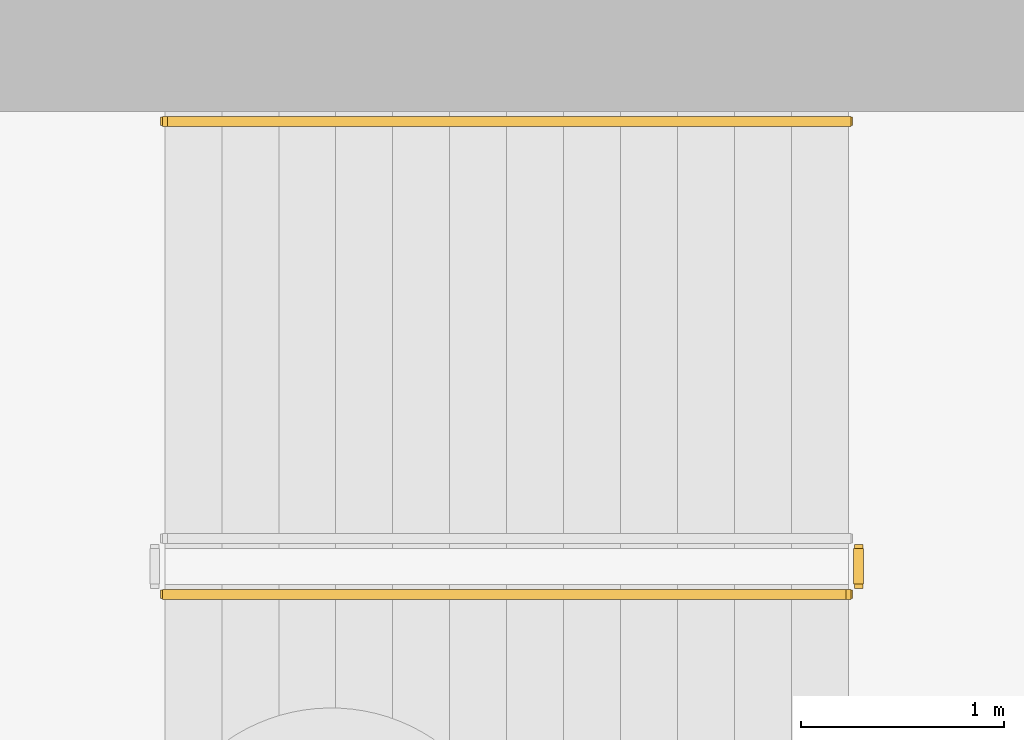
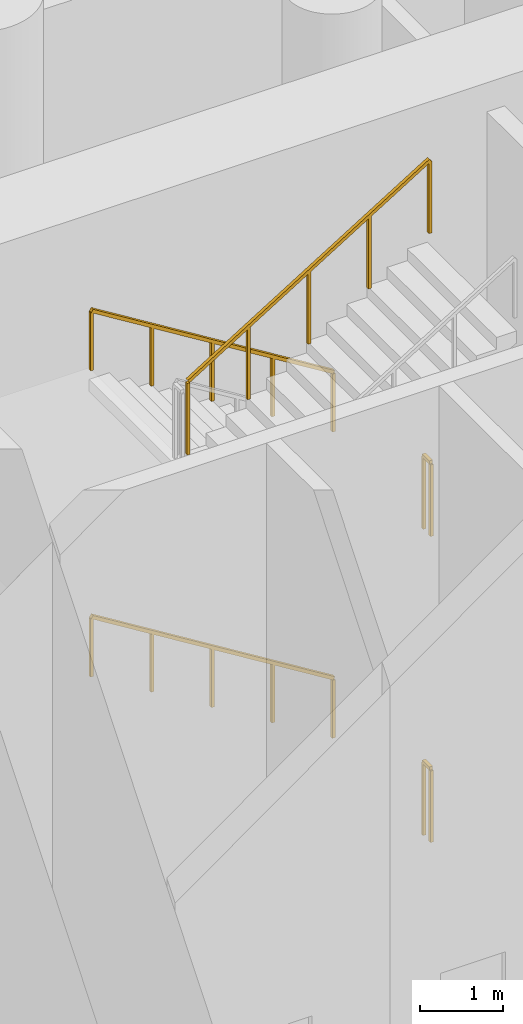
# One storey, part 21 of 25: 5 railings.
"""IFC4 building model written with IfcOpenShell, lengths in metres."""

import ifcopenshell
import ifcopenshell.guid

model = None  # the IFC model being written
_history = None  # IfcOwnerHistory: only IFC2X3 demands one
_inside = {}  # id of a spatial element -> (the spatial element, [elements in it])
_under = {}  # id of a project, library or spatial element -> (it, [spatial elements below it])
_declared = {}  # id of a project -> (the project, [libraries it declares])
_typed = {}  # id of a type object -> (the type object, [elements of that type])
_made_of = {}  # id of a material, layer set ... -> (it, [elements and type objects made of it])


def new_model(schema):
    """Start an empty IFC model of exactly this schema.

    Asked for "IFC4X3", IfcOpenShell would pick the latest addendum, in which some entities
    have other attributes; the version numbers below select the first issue.
    IFC2X3 requires an IfcOwnerHistory on every rooted entity: one is made here for all.
    """
    global model, _history
    if schema == "IFC4X3":
        model = ifcopenshell.file(schema_version=(4, 3, 0, 0))
    else:
        model = ifcopenshell.file(schema=schema)
    _inside.clear()
    _under.clear()
    _declared.clear()
    _typed.clear()
    _made_of.clear()
    _history = None
    if model.schema == "IFC2X3":
        org = make("IfcOrganization", Name="unknown")
        user = make(
            "IfcPersonAndOrganization",
            ThePerson=make("IfcPerson", FamilyName="unknown"),
            TheOrganization=org,
        )
        app = make(
            "IfcApplication",
            ApplicationDeveloper=org,
            Version="unknown",
            ApplicationFullName="unknown",
            ApplicationIdentifier="unknown",
        )
        _history = make(
            "IfcOwnerHistory",
            OwningUser=user,
            OwningApplication=app,
            ChangeAction="ADDED",
            CreationDate=0,
        )
    return model


def make(cls, **values):
    """One entity of the class cls with the attributes given. An attribute that is None is left unset."""
    return model.create_entity(
        cls, **{name: value for name, value in values.items() if value is not None}
    )


def rooted(cls, **values):
    """An entity with a GlobalId (a new one), such as an element, a storey or a relation."""
    return make(cls, GlobalId=ifcopenshell.guid.new(), OwnerHistory=_history, **values)


def si_unit(unit_type, name, prefix=None):
    """IfcSIUnit, for example si_unit("LENGTHUNIT", "METRE", prefix="MILLI")."""
    return make("IfcSIUnit", UnitType=unit_type, Prefix=prefix, Name=name)


def assignment(units):
    """IfcUnitAssignment: the units of a project."""
    return None if units is None else make("IfcUnitAssignment", Units=units)


def point(xyz):
    """IfcCartesianPoint."""
    return None if xyz is None else make("IfcCartesianPoint", Coordinates=xyz)


def direction(xyz):
    """IfcDirection."""
    return None if xyz is None else make("IfcDirection", DirectionRatios=xyz)


def frame(location, z_axis=None, x_axis=None):
    """IfcAxis2Placement3D, a coordinate frame: its origin and axes. An axis left out is left unset."""
    return make(
        "IfcAxis2Placement3D",
        Location=point(location),
        Axis=direction(z_axis),
        RefDirection=direction(x_axis),
    )


def frame_2d(location, x_axis=None):
    """IfcAxis2Placement2D, a coordinate frame in the plane: its origin and x axis."""
    return make(
        "IfcAxis2Placement2D", Location=point(location), RefDirection=direction(x_axis)
    )


def origin():
    """The frame at (0, 0, 0) with its axes left unset."""
    return frame((0.0, 0.0, 0.0))


def origin_2d():
    """The frame at (0, 0) in the plane with its x axis left unset."""
    return frame_2d((0.0, 0.0))


def place(relative_to, where):
    """IfcLocalPlacement: puts the frame where relative to a parent placement (None: the world)."""
    return make(
        "IfcLocalPlacement", PlacementRelTo=relative_to, RelativePlacement=where
    )


def context(
    kind, dimensions, precision=None, world=None, true_north=None, identifier=None
):
    """IfcGeometricRepresentationContext, for example the 3D "Model" context."""
    return make(
        "IfcGeometricRepresentationContext",
        ContextIdentifier=identifier,
        ContextType=kind,
        CoordinateSpaceDimension=dimensions,
        Precision=precision,
        WorldCoordinateSystem=world,
        TrueNorth=true_north,
    )


def subcontext(parent, identifier, kind, view, scale=None):
    """IfcGeometricRepresentationSubContext, for example "Body" below "Model"."""
    return make(
        "IfcGeometricRepresentationSubContext",
        ContextIdentifier=identifier,
        ContextType=kind,
        ParentContext=parent,
        TargetScale=scale,
        TargetView=view,
    )


def project(units=None, contexts=None):
    """IfcProject with its units and contexts."""
    return rooted(
        "IfcProject",
        Name="project",
        RepresentationContexts=contexts,
        UnitsInContext=assignment(units),
    )


def spatial(cls, under=None, at=None, **own):
    """A site, building, storey or space (cls), placed at a placement, below another one or the project."""
    s = rooted(cls, ObjectPlacement=at, **own)
    if under is not None:
        _under.setdefault(under.id(), (under, []))[1].append(s)
    return s


def profile(cls, at=None, kind="AREA", **sizes):
    """A parametric profile (cls). Its sizes go by their IFC names, for example OverallWidth=200.0."""
    return make(cls, ProfileType=kind, Position=at, **sizes)


def rectangle(**sizes):
    """IfcRectangleProfileDef."""
    return profile("IfcRectangleProfileDef", **sizes)


def extrude(swept, where, along, depth):
    """IfcExtrudedAreaSolid: the profile swept, set in the frame where, extruded along a direction by depth."""
    return make(
        "IfcExtrudedAreaSolid",
        SweptArea=swept,
        Position=where,
        ExtrudedDirection=direction(along),
        Depth=depth,
    )


def shape(context_of_items, identifier, shape_type, items):
    """IfcShapeRepresentation: the items that make up one representation, for example the "Body"."""
    return make(
        "IfcShapeRepresentation",
        ContextOfItems=context_of_items,
        RepresentationIdentifier=identifier,
        RepresentationType=shape_type,
        Items=items,
    )


def material(Name=None, Category=None):
    """IfcMaterial."""
    return make("IfcMaterial", Name=Name, Category=Category)


def made_of(thing, what):
    """Note that an element or type object is made of a material, layer set ...; save() writes the relation."""
    if what is not None:
        _made_of.setdefault(what.id(), (what, []))[1].append(thing)
    return thing


def type_object(cls, material=None, **own):
    """A type object (cls), such as IfcWallType, which elements share."""
    return made_of(rooted(cls, **own), material)


def element(
    cls,
    number,
    at=None,
    inside=None,
    cuts=None,
    type_object=None,
    material=None,
    context=None,
    identifier="Body",
    shape_type=None,
    held_by="IfcProductDefinitionShape",
    body=None,
    shapes=None,
    **own,
):
    """One element of the class cls, such as IfcWall. Its Tag is "e" and its number.

    at: its placement. inside: the storey or other place that contains it. cuts: it is an
    opening in that element (IfcRelVoidsElement). A single representation is given by context,
    identifier, shape_type and body (its items); several are given by shapes. held_by: the class
    of the entity that holds the representations. save() writes the other relations.
    """
    e = rooted(cls, Tag="e%d" % number, ObjectPlacement=at, **own)
    if body is not None:
        shapes = [shape(context, identifier, shape_type, body)]
    if shapes is not None:
        e.Representation = make(held_by, Representations=shapes)
    if inside is not None:
        _inside.setdefault(inside.id(), (inside, []))[1].append(e)
    if cuts is not None:
        rooted(
            "IfcRelVoidsElement", RelatingBuildingElement=cuts, RelatedOpeningElement=e
        )
    if type_object is not None:
        _typed.setdefault(type_object.id(), (type_object, []))[1].append(e)
    return made_of(e, material)


def aggregate(whole, parts):
    """IfcRelAggregates: a whole, such as a stair, and the parts it consists of."""
    return rooted("IfcRelAggregates", RelatingObject=whole, RelatedObjects=parts)


def save(model, path):
    """Write the relations noted so far, then the file.

    IfcRelAggregates (storeys below a building ...), IfcRelContainedInSpatialStructure (elements
    in a storey), IfcRelDefinesByType, IfcRelAssociatesMaterial and IfcRelDeclares: one each for
    every whole, place, type object, material and project.
    """
    for whole, parts in _under.values():
        aggregate(whole, parts)
    for where, things in _inside.values():
        rooted(
            "IfcRelContainedInSpatialStructure",
            RelatedElements=things,
            RelatingStructure=where,
        )
    for kind, things in _typed.values():
        rooted("IfcRelDefinesByType", RelatedObjects=things, RelatingType=kind)
    for what, things in _made_of.values():
        rooted("IfcRelAssociatesMaterial", RelatedObjects=things, RelatingMaterial=what)
    for by, libraries in _declared.values():
        rooted("IfcRelDeclares", RelatingContext=by, RelatedDefinitions=libraries)
    model.write(path)


model = new_model("IFC4")

# Units and contexts
model_context = context("Model", 3, precision=1e-05, world=origin(), true_north=direction((0.0, 1.0)))
body_context = subcontext(model_context, "Body", "Model", "MODEL_VIEW")
ifc_project = project(units=[si_unit("LENGTHUNIT", "METRE"), si_unit("AREAUNIT", "SQUARE_METRE"), si_unit("VOLUMEUNIT", "CUBIC_METRE"), si_unit("PLANEANGLEUNIT", "RADIAN"), si_unit("MASSUNIT", "GRAM", prefix="KILO")], contexts=[model_context])

# Site, building, storey
site_placement = place(None, origin())
site = spatial("IfcSite", under=ifc_project, at=site_placement, CompositionType="ELEMENT")
building_placement = place(site_placement, origin())
building = spatial("IfcBuilding", under=site, at=building_placement, Name="Cypress Arch Tower", CompositionType="ELEMENT")
storey_placement = place(building_placement, origin())
storey = spatial("IfcBuildingStorey", under=building, at=storey_placement, Name="L00", CompositionType="ELEMENT", Elevation=0.0)

# Railings
ifc_material_1 = material(Name="Black powder-coated steel square bar 48 mm", Category="steel")
railing_type_1 = type_object("IfcRailingType", Name="Stair handrail HR1", PredefinedType="HANDRAIL", material=ifc_material_1)
for number, where, name in (
    (1, (-22.27490234375, 14.75, 0.173095703125), "L00 B stair handrail 1"),
    (2, (-22.27490234375, 14.75, 4.673095703125), "L00 B stair handrail 3"),
):
    element("IfcRailing", number, at=place(storey_placement, frame(where)), inside=storey, type_object=railing_type_1, Name=name, PredefinedType="HANDRAIL", context=body_context, shape_type="SweptSolid", body=[
        extrude(rectangle(XDim=0.048095703125, YDim=0.048095703125, at=origin_2d()), frame((0.0, 0.0, 0.8759765625), z_axis=(-0.850623216509, 0.0, 0.525775754039), x_axis=(0.0, -1.0, 0.0)), (0.0, 0.0, 1.0), 3.9501953125),
        extrude(rectangle(XDim=0.0419921875, YDim=0.0419921875, at=origin_2d()), origin(), (0.0, 0.0, 1.0), 0.851806640625),
        extrude(rectangle(XDim=0.0419921875, YDim=0.0419921875, at=origin_2d()), frame((-0.840087890625, 0.0, 0.519287109375)), (0.0, 0.0, 1.0), 0.851806640625),
        extrude(rectangle(XDim=0.0419921875, YDim=0.0419921875, at=origin_2d()), frame((-1.68017578125, 0.0, 1.03857421875)), (0.0, 0.0, 1.0), 0.851806640625),
        extrude(rectangle(XDim=0.0419921875, YDim=0.0419921875, at=origin_2d()), frame((-2.52001953125, 0.0, 1.5576171875)), (0.0, 0.0, 1.0), 0.851806640625),
        extrude(rectangle(XDim=0.0419921875, YDim=0.0419921875, at=origin_2d()), frame((-3.360107421875, 0.0, 2.076904296875)), (0.0, 0.0, 1.0), 0.851806640625),
    ])
ifc_material_2 = material(Name="Black powder-coated steel balusters", Category="steel")
railing_type_2 = type_object("IfcRailingType", Name="Stair well guard G1", PredefinedType="GUARDRAIL", material=ifc_material_2)
railing_1_placement = place(storey_placement, frame((-22.22509765625, 12.64990234375, 4.5)))
element("IfcRailing", 3, at=railing_1_placement, inside=storey, type_object=railing_type_2, Name="L00 B stair guard 4", PredefinedType="GUARDRAIL", context=body_context, shape_type="SweptSolid", body=[
    extrude(rectangle(XDim=0.048095703125, YDim=0.048095703125, at=origin_2d()), frame((0.0, 0.0, 1.076171875), z_axis=(0.0, -1.0, 0.0), x_axis=(1.0, 0.0, 0.0)), (0.0, 0.0, 1.0), 0.1748046875),
    extrude(rectangle(XDim=0.0419921875, YDim=0.0419921875, at=origin_2d()), origin(), (0.0, 0.0, 1.0), 1.052001953125),
    extrude(rectangle(XDim=0.0419921875, YDim=0.0419921875, at=origin_2d()), frame((0.0, -0.1748046875, 0.0)), (0.0, 0.0, 1.0), 1.052001953125),
])
railing_2_placement = place(storey_placement, frame((-25.635009765625, 12.425048828125, 6.923095703125)))
element("IfcRailing", 4, at=railing_2_placement, inside=storey, type_object=railing_type_2, Name="L00 B stair guard 7", PredefinedType="GUARDRAIL", context=body_context, shape_type="SweptSolid", body=[
    extrude(rectangle(XDim=0.048095703125, YDim=0.048095703125, at=origin_2d()), frame((0.0, 0.0, 1.076171875), z_axis=(0.850623216509, 0.0, 0.525775754039), x_axis=(0.0, 1.0, 0.0)), (0.0, 0.0, 1.0), 3.9501953125),
    extrude(rectangle(XDim=0.0419921875, YDim=0.0419921875, at=origin_2d()), origin(), (0.0, 0.0, 1.0), 1.052001953125),
    extrude(rectangle(XDim=0.0419921875, YDim=0.0419921875, at=origin_2d()), frame((0.840087890625, 0.0, 0.519287109375)), (0.0, 0.0, 1.0), 1.052001953125),
    extrude(rectangle(XDim=0.0419921875, YDim=0.0419921875, at=origin_2d()), frame((1.68017578125, 0.0, 1.03857421875)), (0.0, 0.0, 1.0), 1.052001953125),
    extrude(rectangle(XDim=0.0419921875, YDim=0.0419921875, at=origin_2d()), frame((2.52001953125, 0.0, 1.5576171875)), (0.0, 0.0, 1.0), 1.052001953125),
    extrude(rectangle(XDim=0.0419921875, YDim=0.0419921875, at=origin_2d()), frame((3.360107421875, 0.0, 2.076904296875)), (0.0, 0.0, 1.0), 1.052001953125),
])
railing_3_placement = place(storey_placement, frame((-22.22509765625, 12.64990234375, 0.0)))
element("IfcRailing", 5, at=railing_3_placement, inside=storey, type_object=railing_type_2, Name="L00 B stair guard 8", PredefinedType="GUARDRAIL", context=body_context, shape_type="SweptSolid", body=[
    extrude(rectangle(XDim=0.048095703125, YDim=0.048095703125, at=origin_2d()), frame((0.0, 0.0, 1.076171875), z_axis=(0.0, -1.0, 0.0), x_axis=(1.0, 0.0, 0.0)), (0.0, 0.0, 1.0), 0.1748046875),
    extrude(rectangle(XDim=0.0419921875, YDim=0.0419921875, at=origin_2d()), origin(), (0.0, 0.0, 1.0), 1.052001953125),
    extrude(rectangle(XDim=0.0419921875, YDim=0.0419921875, at=origin_2d()), frame((0.0, -0.1748046875, 0.0)), (0.0, 0.0, 1.0), 1.052001953125),
])

save(model, "model.ifc")
